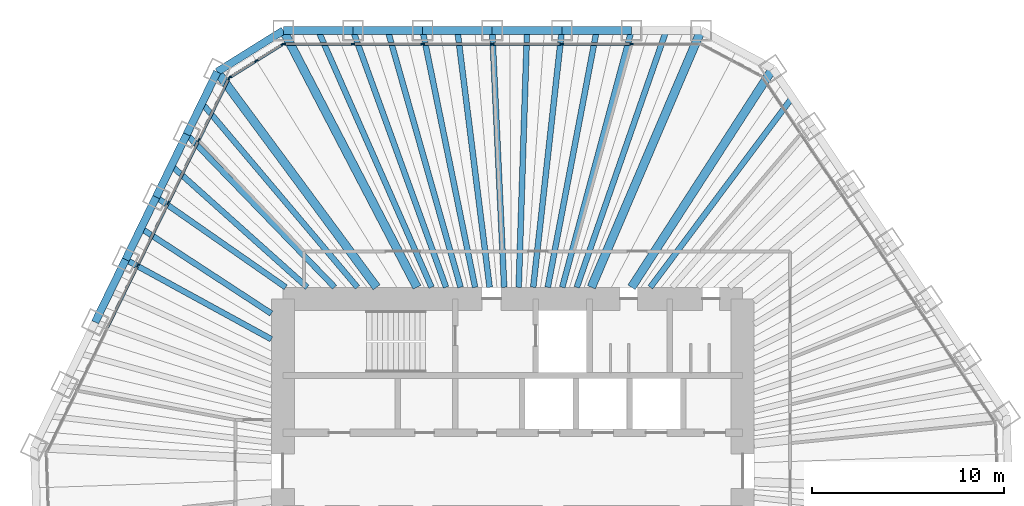
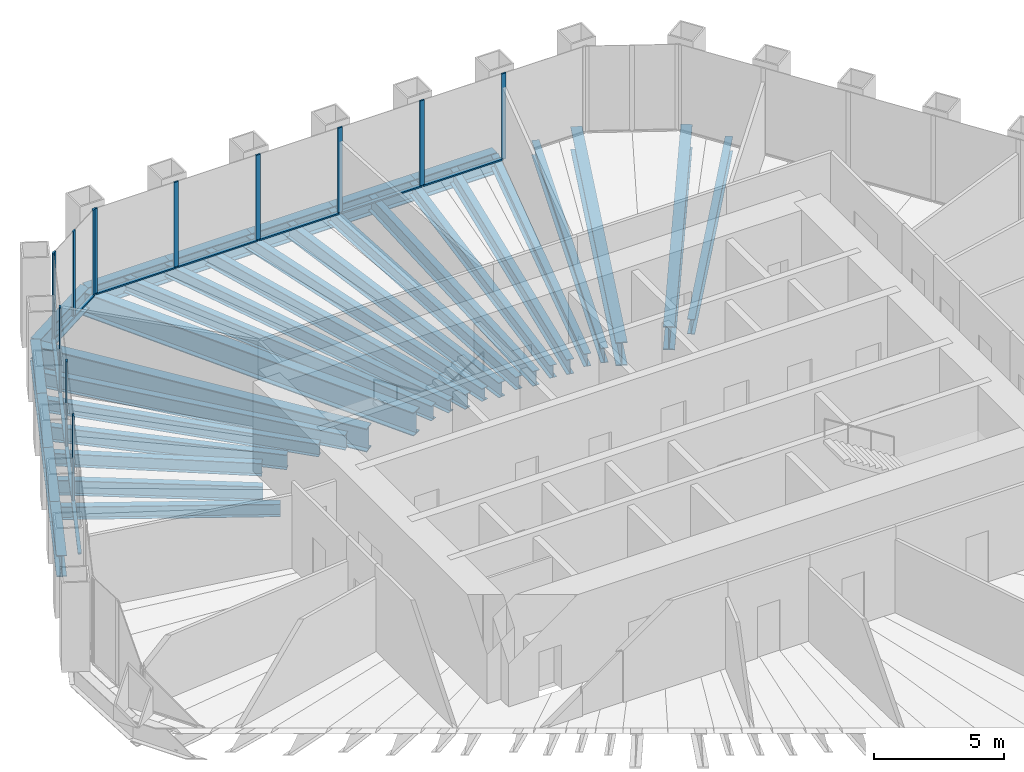
# One storey, part 6 of 13: 32 beams, 24 members, 3 elements without a shape of their own.
"""IFC4 building model written with IfcOpenShell, lengths in metres."""

from ifc_helpers import new_model, si_unit, direction, frame, origin, origin_2d, place, context, subcontext, project, spatial, rectangle, i_section, extrude, material, material_profile, profile_set, type_object, element, aggregate, save


model = new_model("IFC4")

# Units and contexts
model_context = context("Model", 3, precision=1e-05, world=origin(), true_north=direction((0.0, 1.0)))
body_context = subcontext(model_context, "Body", "Model", "MODEL_VIEW")
ifc_project = project(units=[si_unit("LENGTHUNIT", "METRE"), si_unit("AREAUNIT", "SQUARE_METRE"), si_unit("VOLUMEUNIT", "CUBIC_METRE"), si_unit("PLANEANGLEUNIT", "RADIAN"), si_unit("MASSUNIT", "GRAM", prefix="KILO")], contexts=[model_context])

# Site, building, storey
site_placement = place(None, origin())
site = spatial("IfcSite", under=ifc_project, at=site_placement, CompositionType="ELEMENT")
building_placement = place(site_placement, origin())
building = spatial("IfcBuilding", under=site, at=building_placement, Name="Qingtian Harvest Tower", CompositionType="ELEMENT")
storey_placement = place(building_placement, frame((0.0, 0.0, 214.0)))
storey = spatial("IfcBuildingStorey", under=building, at=storey_placement, Name="L46", CompositionType="ELEMENT", Elevation=214.0)

# Beams
ifc_material_1 = material(Name="Steel SM570MC", Category="steel")
ifc_material_profile_1 = material_profile(ifc_material_1, i_section(OverallWidth=0.449951171875, OverallDepth=1.10009765625, WebThickness=0.02197265625, FlangeThickness=0.044921875, at=origin_2d()), Name="H1100x450x22x45")
ifc_profile_set_1 = profile_set([ifc_material_profile_1], Name="Steel SM570MC")
beam_type_1 = type_object("IfcBeamType", Name="Corner floor beam FB8 H1100x450x22x45", PredefinedType="BEAM", material=ifc_profile_set_1)
beam_1_placement = place(storey_placement, frame((-11.971923828125, 23.0, -0.719970703125), z_axis=(0.461712460868, -0.887029651973, 0.0), x_axis=(0.887029651973, 0.461712460868, 0.0)))
element("IfcBeam", 1, at=beam_1_placement, inside=storey, type_object=beam_type_1, Name="Floor beam FB8 N0", PredefinedType="BEAM", context=body_context, shape_type="SweptSolid", body=[
    extrude(i_section(OverallWidth=0.449951171875, OverallDepth=1.10009765625, WebThickness=0.02197265625, FlangeThickness=0.044921875, at=origin_2d()), origin(), (0.0, 0.0, 1.0), 15.1064453125),
])
beam_2_placement = place(storey_placement, frame((9.829345703125, 23.0, -0.719970703125), z_axis=(-0.392976835482, -0.91954837109, 0.0), x_axis=(0.91954837109, -0.392976835482, 0.0)))
element("IfcBeam", 2, at=beam_2_placement, inside=storey, type_object=beam_type_1, Name="Floor beam FB8 N6", PredefinedType="BEAM", context=body_context, shape_type="SweptSolid", body=[
    extrude(i_section(OverallWidth=0.449951171875, OverallDepth=1.10009765625, WebThickness=0.02197265625, FlangeThickness=0.044921875, at=origin_2d()), origin(), (0.0, 0.0, 1.0), 14.572265625),
])
beam_3_placement = place(storey_placement, frame((13.5712890625, 21.01025390625, -0.719970703125), z_axis=(-0.542593072822, -0.839995688873, 0.0), x_axis=(0.839995688873, -0.542593072822, 0.0)))
element("IfcBeam", 3, at=beam_3_placement, inside=storey, type_object=beam_type_1, Name="Floor beam FB8 NE0", PredefinedType="BEAM", context=body_context, shape_type="SweptSolid", body=[
    extrude(i_section(OverallWidth=0.449951171875, OverallDepth=1.10009765625, WebThickness=0.02197265625, FlangeThickness=0.044921875, at=origin_2d()), origin(), (0.0, 0.0, 1.0), 13.58349609375),
])
beam_4_placement = place(storey_placement, frame((-15.424072265625, 20.8427734375, -0.719970703125), z_axis=(0.594854284538, -0.803833552526, 0.0), x_axis=(0.803833552526, 0.594854284538, 0.0)))
element("IfcBeam", 4, at=beam_4_placement, inside=storey, type_object=beam_type_1, Name="Floor beam FB8 NW6", PredefinedType="BEAM", context=body_context, shape_type="SweptSolid", body=[
    extrude(i_section(OverallWidth=0.449951171875, OverallDepth=1.10009765625, WebThickness=0.02197265625, FlangeThickness=0.044921875, at=origin_2d()), origin(), (0.0, 0.0, 1.0), 13.986328125),
])
ifc_material_2 = material(Name="Steel SN490B", Category="steel")
ifc_material_profile_2 = material_profile(ifc_material_2, i_section(OverallWidth=0.300048828125, OverallDepth=0.60009765625, WebThickness=0.011962890625, FlangeThickness=0.02001953125, at=origin_2d()), Name="H600x300x12x20")
ifc_profile_set_2 = profile_set([ifc_material_profile_2], Name="Steel SN490B")
beam_type_2 = type_object("IfcBeamType", Name="Floor beam FB3 H600x300x12x20", PredefinedType="BEAM", material=ifc_profile_set_2)
beam_5_placement = place(storey_placement, frame((-8.33837890625, 23.0, -0.469970703125), z_axis=(0.340826952705, -0.94012604916, 0.0), x_axis=(0.94012604916, 0.340826952705, 0.0)))
element("IfcBeam", 5, at=beam_5_placement, inside=storey, type_object=beam_type_2, Name="Floor beam FB3 N1", PredefinedType="BEAM", context=body_context, shape_type="SweptSolid", body=[
    extrude(i_section(OverallWidth=0.300048828125, OverallDepth=0.60009765625, WebThickness=0.011962890625, FlangeThickness=0.02001953125, at=origin_2d()), origin(), (0.0, 0.0, 1.0), 14.25341796875),
])
beam_6_placement = place(storey_placement, frame((-4.704833984375, 23.0, -0.469970703125), z_axis=(0.200401687601, -0.979713817197, 0.0), x_axis=(0.979713817197, 0.200401687601, 0.0)))
element("IfcBeam", 6, at=beam_6_placement, inside=storey, type_object=beam_type_2, Name="Floor beam FB3 N2", PredefinedType="BEAM", context=body_context, shape_type="SweptSolid", body=[
    extrude(i_section(OverallWidth=0.300048828125, OverallDepth=0.60009765625, WebThickness=0.011962890625, FlangeThickness=0.02001953125, at=origin_2d()), origin(), (0.0, 0.0, 1.0), 13.67724609375),
])
beam_7_placement = place(storey_placement, frame((-1.0712890625, 23.0, -0.469970703125), z_axis=(0.04651883736, -0.998917412888, 0.0), x_axis=(0.998917412888, 0.04651883736, 0.0)))
element("IfcBeam", 7, at=beam_7_placement, inside=storey, type_object=beam_type_2, Name="Floor beam FB3 N3", PredefinedType="BEAM", context=body_context, shape_type="SweptSolid", body=[
    extrude(i_section(OverallWidth=0.300048828125, OverallDepth=0.60009765625, WebThickness=0.011962890625, FlangeThickness=0.02001953125, at=origin_2d()), origin(), (0.0, 0.0, 1.0), 13.414306640625),
])
beam_8_placement = place(storey_placement, frame((2.562255859375, 23.0, -0.469970703125), z_axis=(-0.110727645803, -0.993850787822, 0.0), x_axis=(0.993850787822, -0.110727645803, 0.0)))
element("IfcBeam", 8, at=beam_8_placement, inside=storey, type_object=beam_type_2, Name="Floor beam FB3 N4", PredefinedType="BEAM", context=body_context, shape_type="SweptSolid", body=[
    extrude(i_section(OverallWidth=0.300048828125, OverallDepth=0.60009765625, WebThickness=0.011962890625, FlangeThickness=0.02001953125, at=origin_2d()), origin(), (0.0, 0.0, 1.0), 13.48291015625),
])
beam_9_placement = place(storey_placement, frame((6.19580078125, 23.0, -0.469970703125), z_axis=(-0.260121100906, -0.965576000563, 0.0), x_axis=(0.965576000563, -0.260121100906, 0.0)))
element("IfcBeam", 9, at=beam_9_placement, inside=storey, type_object=beam_type_2, Name="Floor beam FB3 N5", PredefinedType="BEAM", context=body_context, shape_type="SweptSolid", body=[
    extrude(i_section(OverallWidth=0.300048828125, OverallDepth=0.60009765625, WebThickness=0.011962890625, FlangeThickness=0.02001953125, at=origin_2d()), origin(), (0.0, 0.0, 1.0), 13.877685546875),
])
beam_10_placement = place(storey_placement, frame((-20.20263671875, 11.04541015625, -0.469970703125), z_axis=(0.87742673539, -0.479710666988, 0.0), x_axis=(0.479710666988, 0.87742673539, 0.0)))
element("IfcBeam", 10, at=beam_10_placement, inside=storey, type_object=beam_type_2, Name="Floor beam FB3 NW3", PredefinedType="BEAM", context=body_context, shape_type="SweptSolid", body=[
    extrude(i_section(OverallWidth=0.300048828125, OverallDepth=0.60009765625, WebThickness=0.011962890625, FlangeThickness=0.02001953125, at=origin_2d()), origin(), (0.0, 0.0, 1.0), 8.66455078125),
])
beam_11_placement = place(storey_placement, frame((-18.60986328125, 14.311279296875, -0.469970703125), z_axis=(0.820407854234, -0.571778762032, 0.0), x_axis=(0.571778762032, 0.820407854234, 0.0)))
element("IfcBeam", 11, at=beam_11_placement, inside=storey, type_object=beam_type_2, Name="Floor beam FB3 NW4", PredefinedType="BEAM", context=body_context, shape_type="SweptSolid", body=[
    extrude(i_section(OverallWidth=0.300048828125, OverallDepth=0.60009765625, WebThickness=0.011962890625, FlangeThickness=0.02001953125, at=origin_2d()), origin(), (0.0, 0.0, 1.0), 8.239501953125),
])
beam_12_placement = place(storey_placement, frame((-17.016845703125, 17.5771484375, -0.469970703125), z_axis=(0.695569024353, -0.718459276759, 0.0), x_axis=(0.718459276759, 0.695569024353, 0.0)))
element("IfcBeam", 12, at=beam_12_placement, inside=storey, type_object=beam_type_2, Name="Floor beam FB3 NW5", PredefinedType="BEAM", context=body_context, shape_type="SweptSolid", body=[
    extrude(i_section(OverallWidth=0.300048828125, OverallDepth=0.60009765625, WebThickness=0.011962890625, FlangeThickness=0.02001953125, at=origin_2d()), origin(), (0.0, 0.0, 1.0), 11.10302734375),
])
ifc_material_3 = material(Name="Steel SN490B", Category="steel")
ifc_material_profile_3 = material_profile(ifc_material_3, i_section(OverallWidth=0.300048828125, OverallDepth=0.699951171875, WebThickness=0.012939453125, FlangeThickness=0.02392578125, at=origin_2d()), Name="H700x300x13x24")
ifc_profile_set_3 = profile_set([ifc_material_profile_3], Name="Steel SN490B")
beam_type_3 = type_object("IfcBeamType", Name="Floor joist J2 H700x300x13x24", PredefinedType="JOIST", material=ifc_profile_set_3)
beam_13_placement = place(storey_placement, frame((-10.1552734375, 23.0, -0.52001953125), z_axis=(0.40391347792, -0.914797191925, 0.0), x_axis=(0.914797191925, 0.40391347792, 0.0)))
element("IfcBeam", 13, at=beam_13_placement, inside=storey, type_object=beam_type_3, Name="Floor joist J2 N0", PredefinedType="JOIST", context=body_context, shape_type="SweptSolid", body=[
    extrude(i_section(OverallWidth=0.300048828125, OverallDepth=0.699951171875, WebThickness=0.012939453125, FlangeThickness=0.02392578125, at=origin_2d()), origin(), (0.0, 0.0, 1.0), 14.64794921875),
])
beam_14_placement = place(storey_placement, frame((-6.521728515625, 23.0, -0.52001953125), z_axis=(0.272796737564, -0.962071691702, 0.0), x_axis=(0.962071691702, 0.272796737564, 0.0)))
element("IfcBeam", 14, at=beam_14_placement, inside=storey, type_object=beam_type_3, Name="Floor joist J2 N1", PredefinedType="JOIST", context=body_context, shape_type="SweptSolid", body=[
    extrude(i_section(OverallWidth=0.300048828125, OverallDepth=0.699951171875, WebThickness=0.012939453125, FlangeThickness=0.02392578125, at=origin_2d()), origin(), (0.0, 0.0, 1.0), 13.92822265625),
])
beam_15_placement = place(storey_placement, frame((-2.88818359375, 23.0, -0.52001953125), z_axis=(0.124590949529, -0.992208191508, 0.0), x_axis=(0.992208191508, 0.124590949529, 0.0)))
element("IfcBeam", 15, at=beam_15_placement, inside=storey, type_object=beam_type_3, Name="Floor joist J2 N2", PredefinedType="JOIST", context=body_context, shape_type="SweptSolid", body=[
    extrude(i_section(OverallWidth=0.300048828125, OverallDepth=0.699951171875, WebThickness=0.012939453125, FlangeThickness=0.02392578125, at=origin_2d()), origin(), (0.0, 0.0, 1.0), 13.505126953125),
])
beam_16_placement = place(storey_placement, frame((0.745361328125, 23.0, -0.52001953125), z_axis=(-0.032395624487, -0.99947512401, 0.0), x_axis=(0.99947512401, -0.032395624487, 0.0)))
element("IfcBeam", 16, at=beam_16_placement, inside=storey, type_object=beam_type_3, Name="Floor joist J2 N3", PredefinedType="JOIST", context=body_context, shape_type="SweptSolid", body=[
    extrude(i_section(OverallWidth=0.300048828125, OverallDepth=0.699951171875, WebThickness=0.012939453125, FlangeThickness=0.02392578125, at=origin_2d()), origin(), (0.0, 0.0, 1.0), 13.406982421875),
])
beam_17_placement = place(storey_placement, frame((4.37890625, 23.0, -0.52001953125), z_axis=(-0.187034797062, -0.982353289142, 0.0), x_axis=(0.982353289142, -0.187034797062, 0.0)))
element("IfcBeam", 17, at=beam_17_placement, inside=storey, type_object=beam_type_3, Name="Floor joist J2 N4", PredefinedType="JOIST", context=body_context, shape_type="SweptSolid", body=[
    extrude(i_section(OverallWidth=0.300048828125, OverallDepth=0.699951171875, WebThickness=0.012939453125, FlangeThickness=0.02392578125, at=origin_2d()), origin(), (0.0, 0.0, 1.0), 13.640625),
])
beam_18_placement = place(storey_placement, frame((8.012451171875, 23.0, -0.52001953125), z_axis=(-0.328969033283, -0.944340709247, 0.0), x_axis=(0.944340709247, -0.328969033283, 0.0)))
element("IfcBeam", 18, at=beam_18_placement, inside=storey, type_object=beam_type_3, Name="Floor joist J2 N5", PredefinedType="JOIST", context=body_context, shape_type="SweptSolid", body=[
    extrude(i_section(OverallWidth=0.300048828125, OverallDepth=0.699951171875, WebThickness=0.012939453125, FlangeThickness=0.02392578125, at=origin_2d()), origin(), (0.0, 0.0, 1.0), 14.189697265625),
])
beam_19_placement = place(storey_placement, frame((14.58740234375, 19.504150390625, -0.52001953125), z_axis=(-0.598935081494, -0.800797582511, 0.0), x_axis=(0.800797582511, -0.598935081494, 0.0)))
element("IfcBeam", 19, at=beam_19_placement, inside=storey, type_object=beam_type_3, Name="Floor joist J2 NE0", PredefinedType="JOIST", context=body_context, shape_type="SweptSolid", body=[
    extrude(i_section(OverallWidth=0.300048828125, OverallDepth=0.699951171875, WebThickness=0.012939453125, FlangeThickness=0.02392578125, at=origin_2d()), origin(), (0.0, 0.0, 1.0), 12.36767578125),
])
beam_20_placement = place(storey_placement, frame((-19.40625, 12.678466796875, -0.52001953125), z_axis=(0.837161066611, -0.546956441182, 0.0), x_axis=(0.546956441182, 0.837161066611, 0.0)))
element("IfcBeam", 20, at=beam_20_placement, inside=storey, type_object=beam_type_3, Name="Floor joist J2 NW3", PredefinedType="JOIST", context=body_context, shape_type="SweptSolid", body=[
    extrude(i_section(OverallWidth=0.300048828125, OverallDepth=0.699951171875, WebThickness=0.012939453125, FlangeThickness=0.02392578125, at=origin_2d()), origin(), (0.0, 0.0, 1.0), 8.130126953125),
])
beam_21_placement = place(storey_placement, frame((-17.813232421875, 15.944091796875, -0.52001953125), z_axis=(0.745126517589, -0.66692313859, 0.0), x_axis=(0.66692313859, 0.745126517589, 0.0)))
element("IfcBeam", 21, at=beam_21_placement, inside=storey, type_object=beam_type_3, Name="Floor joist J2 NW4", PredefinedType="JOIST", context=body_context, shape_type="SweptSolid", body=[
    extrude(i_section(OverallWidth=0.300048828125, OverallDepth=0.699951171875, WebThickness=0.012939453125, FlangeThickness=0.02392578125, at=origin_2d()), origin(), (0.0, 0.0, 1.0), 9.512451171875),
])
beam_22_placement = place(storey_placement, frame((-16.220458984375, 19.2099609375, -0.52001953125), z_axis=(0.645157903911, -0.764049264787, 0.0), x_axis=(0.764049264787, 0.645157903911, 0.0)))
element("IfcBeam", 22, at=beam_22_placement, inside=storey, type_object=beam_type_3, Name="Floor joist J2 NW5", PredefinedType="JOIST", context=body_context, shape_type="SweptSolid", body=[
    extrude(i_section(OverallWidth=0.300048828125, OverallDepth=0.699951171875, WebThickness=0.012939453125, FlangeThickness=0.02392578125, at=origin_2d()), origin(), (0.0, 0.0, 1.0), 12.57763671875),
])

# Curtain wall, members
ifc_material_4 = material(Name="Bronze-anodised aluminium curtain wall", Category="aluminium")
curtain_wall_type = type_object("IfcCurtainWallType", Name="Curtain wall CW4 office", PredefinedType="USERDEFINED", material=ifc_material_4)
curtain_wall_1_placement = place(storey_placement, origin())
curtain_wall_1 = element("IfcCurtainWall", 23, at=curtain_wall_1_placement, inside=storey, type_object=curtain_wall_type, Name="Curtain wall CW4 L46 N0-5", ObjectType="RECESSED CURTAIN WALL", PredefinedType="USERDEFINED")
ifc_material_5 = material(Name="Bronze-anodised aluminium mullion", Category="aluminium")
ifc_material_profile_4 = material_profile(ifc_material_5, rectangle(XDim=0.06494140625, YDim=0.199951171875, at=origin_2d()), Name="AL 65x200")
ifc_profile_set_4 = profile_set([ifc_material_profile_4], Name="Bronze-anodised aluminium mullion")
member_type_1 = type_object("IfcMemberType", Name="Mullion CWM 65x200", PredefinedType="MULLION", material=ifc_profile_set_4)
member_1_placement = place(storey_placement, frame((-11.939453125, 22.300048828125, 0.0), z_axis=(0.0, 0.0, 1.0), x_axis=(0.0, 1.0, 0.0)))
member_1 = element("IfcMember", 24, at=member_1_placement, type_object=member_type_1, Name="CW4 mullion 1", PredefinedType="MULLION", context=body_context, shape_type="SweptSolid", body=[
    extrude(rectangle(XDim=0.06494140625, YDim=0.199951171875, at=origin_2d()), origin(), (0.0, 0.0, 1.0), 4.030029296875),
])
member_2_placement = place(storey_placement, frame((-8.33837890625, 22.300048828125, 0.0), z_axis=(0.0, 0.0, 1.0), x_axis=(0.0, 1.0, 0.0)))
member_2 = element("IfcMember", 25, at=member_2_placement, type_object=member_type_1, Name="CW4 mullion 2", PredefinedType="MULLION", context=body_context, shape_type="SweptSolid", body=[
    extrude(rectangle(XDim=0.06494140625, YDim=0.199951171875, at=origin_2d()), origin(), (0.0, 0.0, 1.0), 4.030029296875),
])
member_3_placement = place(storey_placement, frame((-4.704833984375, 22.300048828125, 0.0), z_axis=(0.0, 0.0, 1.0), x_axis=(0.0, 1.0, 0.0)))
member_3 = element("IfcMember", 26, at=member_3_placement, type_object=member_type_1, Name="CW4 mullion 3", PredefinedType="MULLION", context=body_context, shape_type="SweptSolid", body=[
    extrude(rectangle(XDim=0.06494140625, YDim=0.199951171875, at=origin_2d()), origin(), (0.0, 0.0, 1.0), 4.030029296875),
])
member_4_placement = place(storey_placement, frame((-1.0712890625, 22.300048828125, 0.0), z_axis=(0.0, 0.0, 1.0), x_axis=(0.0, 1.0, 0.0)))
member_4 = element("IfcMember", 27, at=member_4_placement, type_object=member_type_1, Name="CW4 mullion 4", PredefinedType="MULLION", context=body_context, shape_type="SweptSolid", body=[
    extrude(rectangle(XDim=0.06494140625, YDim=0.199951171875, at=origin_2d()), origin(), (0.0, 0.0, 1.0), 4.030029296875),
])
member_5_placement = place(storey_placement, frame((2.562255859375, 22.300048828125, 0.0), z_axis=(0.0, 0.0, 1.0), x_axis=(0.0, 1.0, 0.0)))
member_5 = element("IfcMember", 28, at=member_5_placement, type_object=member_type_1, Name="CW4 mullion 5", PredefinedType="MULLION", context=body_context, shape_type="SweptSolid", body=[
    extrude(rectangle(XDim=0.06494140625, YDim=0.199951171875, at=origin_2d()), origin(), (0.0, 0.0, 1.0), 4.030029296875),
])
member_6_placement = place(storey_placement, frame((6.19580078125, 22.300048828125, 0.0), z_axis=(0.0, 0.0, 1.0), x_axis=(0.0, 1.0, 0.0)))
member_6 = element("IfcMember", 29, at=member_6_placement, type_object=member_type_1, Name="CW4 mullion 6", PredefinedType="MULLION", context=body_context, shape_type="SweptSolid", body=[
    extrude(rectangle(XDim=0.06494140625, YDim=0.199951171875, at=origin_2d()), origin(), (0.0, 0.0, 1.0), 4.030029296875),
])

curtain_wall_2_placement = place(storey_placement, origin())
curtain_wall_2 = element("IfcCurtainWall", 30, at=curtain_wall_2_placement, inside=storey, type_object=curtain_wall_type, Name="Curtain wall CW4 L46 NW0-5", ObjectType="RECESSED CURTAIN WALL", PredefinedType="USERDEFINED")
member_7_placement = place(storey_placement, frame((-19.573486328125, 10.738525390625, 0.0), z_axis=(0.0, 0.0, 1.0), x_axis=(-0.898794046299, 0.438371146789, 0.0)))
member_7 = element("IfcMember", 31, at=member_7_placement, type_object=member_type_1, Name="CW4 mullion 4", PredefinedType="MULLION", context=body_context, shape_type="SweptSolid", body=[
    extrude(rectangle(XDim=0.06494140625, YDim=0.199951171875, at=origin_2d()), origin(), (0.0, 0.0, 1.0), 4.030029296875),
])
member_8_placement = place(storey_placement, frame((-17.980712890625, 14.00439453125, 0.0), z_axis=(0.0, 0.0, 1.0), x_axis=(-0.898794046299, 0.438371146789, 0.0)))
member_8 = element("IfcMember", 32, at=member_8_placement, type_object=member_type_1, Name="CW4 mullion 5", PredefinedType="MULLION", context=body_context, shape_type="SweptSolid", body=[
    extrude(rectangle(XDim=0.06494140625, YDim=0.199951171875, at=origin_2d()), origin(), (0.0, 0.0, 1.0), 4.030029296875),
])
member_9_placement = place(storey_placement, frame((-16.3876953125, 17.270263671875, 0.0), z_axis=(0.0, 0.0, 1.0), x_axis=(-0.898794046299, 0.438371146789, 0.0)))
member_9 = element("IfcMember", 33, at=member_9_placement, type_object=member_type_1, Name="CW4 mullion 6", PredefinedType="MULLION", context=body_context, shape_type="SweptSolid", body=[
    extrude(rectangle(XDim=0.06494140625, YDim=0.199951171875, at=origin_2d()), origin(), (0.0, 0.0, 1.0), 4.030029296875),
])
member_10_placement = place(storey_placement, frame((-14.80908203125, 20.5068359375, 0.0), z_axis=(0.0, 0.0, 1.0), x_axis=(-0.898794046299, 0.438371146789, 0.0)))
member_10 = element("IfcMember", 34, at=member_10_placement, type_object=member_type_1, Name="CW4 mullion 7", PredefinedType="MULLION", context=body_context, shape_type="SweptSolid", body=[
    extrude(rectangle(XDim=0.06494140625, YDim=0.199951171875, at=origin_2d()), origin(), (0.0, 0.0, 1.0), 4.030029296875),
])

curtain_wall_3_placement = place(storey_placement, origin())
curtain_wall_3 = element("IfcCurtainWall", 35, at=curtain_wall_3_placement, inside=storey, type_object=curtain_wall_type, Name="Curtain wall CW4 L46 NWC", ObjectType="RECESSED CURTAIN WALL", PredefinedType="USERDEFINED")
member_11_placement = place(storey_placement, frame((-14.767333984375, 20.55322265625, 0.0), z_axis=(0.0, 0.0, 1.0), x_axis=(-0.529919264233, 0.848048096156, 0.0)))
member_11 = element("IfcMember", 36, at=member_11_placement, type_object=member_type_1, Name="CW4 mullion 1", PredefinedType="MULLION", context=body_context, shape_type="SweptSolid", body=[
    extrude(rectangle(XDim=0.06494140625, YDim=0.199951171875, at=origin_2d()), origin(), (0.0, 0.0, 1.0), 4.030029296875),
])
member_12_placement = place(storey_placement, frame((-13.383544921875, 21.41796875, 0.0), z_axis=(0.0, 0.0, 1.0), x_axis=(-0.529919264233, 0.848048096156, 0.0)))
member_12 = element("IfcMember", 37, at=member_12_placement, type_object=member_type_1, Name="CW4 mullion 2", PredefinedType="MULLION", context=body_context, shape_type="SweptSolid", body=[
    extrude(rectangle(XDim=0.06494140625, YDim=0.199951171875, at=origin_2d()), origin(), (0.0, 0.0, 1.0), 4.030029296875),
])
member_13_placement = place(storey_placement, frame((-11.99951171875, 22.28271484375, 0.0), z_axis=(0.0, 0.0, 1.0), x_axis=(-0.529919264233, 0.848048096156, 0.0)))
member_13 = element("IfcMember", 38, at=member_13_placement, type_object=member_type_1, Name="CW4 mullion 3", PredefinedType="MULLION", context=body_context, shape_type="SweptSolid", body=[
    extrude(rectangle(XDim=0.06494140625, YDim=0.199951171875, at=origin_2d()), origin(), (0.0, 0.0, 1.0), 4.030029296875),
])

# Beams
ifc_material_6 = material(Name="Steel SN490B", Category="steel")
ifc_material_profile_5 = material_profile(ifc_material_6, i_section(OverallWidth=0.39990234375, OverallDepth=1.0, WebThickness=0.01904296875, FlangeThickness=0.035888671875, at=origin_2d()), Name="H1000x400x19x36")
ifc_profile_set_5 = profile_set([ifc_material_profile_5], Name="Steel SN490B")
beam_type_4 = type_object("IfcBeamType", Name="Spandrel beam SB3 H1000x400x19x36", PredefinedType="SPANDREL", material=ifc_profile_set_5)
for number, where, z_axis, x_axis, name in (
    (39, (-11.971923828125, 23.0, -0.5), (1.0, 0.0, 0.0), (0.0, 1.0, 0.0), "Spandrel SB3 N0"),
    (40, (-8.33837890625, 23.0, -0.5), (1.0, 0.0, 0.0), (0.0, 1.0, 0.0), "Spandrel SB3 N1"),
    (41, (-4.704833984375, 23.0, -0.5), (1.0, 0.0, 0.0), (0.0, 1.0, 0.0), "Spandrel SB3 N2"),
    (42, (-1.0712890625, 23.0, -0.5), (1.0, 0.0, 0.0), (0.0, 1.0, 0.0), "Spandrel SB3 N3"),
    (43, (2.562255859375, 23.0, -0.5), (1.0, 0.0, 0.0), (0.0, 1.0, 0.0), "Spandrel SB3 N4"),
    (44, (-21.79541015625, 7.779541015625, -0.5), (0.438349498419, 0.898804604592, 0.0), (-0.898804604592, 0.438349498419, 0.0), "Spandrel SB3 NW2"),
    (45, (-20.20263671875, 11.04541015625, -0.5), (0.438349498419, 0.898804604592, 0.0), (-0.898804604592, 0.438349498419, 0.0), "Spandrel SB3 NW3"),
):
    element("IfcBeam", number, at=place(storey_placement, frame(where, z_axis=z_axis, x_axis=x_axis)), inside=storey, type_object=beam_type_4, Name=name, PredefinedType="SPANDREL", context=body_context, shape_type="SweptSolid", body=[
        extrude(i_section(OverallWidth=0.39990234375, OverallDepth=1.0, WebThickness=0.01904296875, FlangeThickness=0.035888671875, at=origin_2d()), origin(), (0.0, 0.0, 1.0), 3.633544921875),
    ])
beam_23_placement = place(storey_placement, frame((-18.60986328125, 14.311279296875, -0.5), z_axis=(0.438403775684, 0.898778131391, 0.0), x_axis=(-0.898778131391, 0.438403775684, 0.0)))
element("IfcBeam", 46, at=beam_23_placement, inside=storey, type_object=beam_type_4, Name="Spandrel SB3 NW4", PredefinedType="SPANDREL", context=body_context, shape_type="SweptSolid", body=[
    extrude(i_section(OverallWidth=0.39990234375, OverallDepth=1.0, WebThickness=0.01904296875, FlangeThickness=0.035888671875, at=origin_2d()), origin(), (0.0, 0.0, 1.0), 3.6337890625),
])
beam_24_placement = place(storey_placement, frame((-17.016845703125, 17.5771484375, -0.5), z_axis=(0.43837597217, 0.898791692788, 0.0), x_axis=(-0.898791692788, 0.43837597217, 0.0)))
element("IfcBeam", 47, at=beam_24_placement, inside=storey, type_object=beam_type_4, Name="Spandrel SB3 NW5", PredefinedType="SPANDREL", context=body_context, shape_type="SweptSolid", body=[
    extrude(i_section(OverallWidth=0.39990234375, OverallDepth=1.0, WebThickness=0.01904296875, FlangeThickness=0.035888671875, at=origin_2d()), origin(), (0.0, 0.0, 1.0), 3.63330078125),
])
beam_25_placement = place(storey_placement, frame((-15.424072265625, 20.8427734375, -0.5), z_axis=(0.848038733752, 0.529934246919, 0.0), x_axis=(-0.529934246919, 0.848038733752, 0.0)))
element("IfcBeam", 48, at=beam_25_placement, inside=storey, type_object=beam_type_4, Name="Spandrel SB3 NWC", PredefinedType="SPANDREL", context=body_context, shape_type="SweptSolid", body=[
    extrude(i_section(OverallWidth=0.39990234375, OverallDepth=1.0, WebThickness=0.01904296875, FlangeThickness=0.035888671875, at=origin_2d()), origin(), (0.0, 0.0, 1.0), 4.07080078125),
])

# Member
ifc_material_7 = material(Name="Bronze-anodised aluminium transom", Category="aluminium")
ifc_material_profile_6 = material_profile(ifc_material_7, rectangle(XDim=0.14990234375, YDim=0.06494140625, at=origin_2d()), Name="AL 65x150")
ifc_profile_set_6 = profile_set([ifc_material_profile_6], Name="Bronze-anodised aluminium transom")
member_type_2 = type_object("IfcMemberType", Name="Transom CWT 65x150", PredefinedType="USERDEFINED", material=ifc_profile_set_6)
member_14_placement = place(storey_placement, frame((-11.906982421875, 22.300048828125, 0.032470703125), z_axis=(1.0, 0.0, 0.0), x_axis=(0.0, 1.0, 0.0)))
member_14 = element("IfcMember", 49, at=member_14_placement, type_object=member_type_2, Name="CW4 transom 1.1", ObjectType="TRANSOM", PredefinedType="USERDEFINED", context=body_context, shape_type="SweptSolid", body=[
    extrude(rectangle(XDim=0.14990234375, YDim=0.06494140625, at=origin_2d()), origin(), (0.0, 0.0, 1.0), 3.5361328125),
])

member_15_placement = place(storey_placement, frame((-8.305908203125, 22.300048828125, 0.032470703125), z_axis=(1.0, 0.0, 0.0), x_axis=(0.0, 1.0, 0.0)))
member_15 = element("IfcMember", 50, at=member_15_placement, type_object=member_type_2, Name="CW4 transom 2.1", ObjectType="TRANSOM", PredefinedType="USERDEFINED", context=body_context, shape_type="SweptSolid", body=[
    extrude(rectangle(XDim=0.14990234375, YDim=0.06494140625, at=origin_2d()), origin(), (0.0, 0.0, 1.0), 3.568603515625),
])

member_16_placement = place(storey_placement, frame((-4.67236328125, 22.300048828125, 0.032470703125), z_axis=(1.0, 0.0, 0.0), x_axis=(0.0, 1.0, 0.0)))
member_16 = element("IfcMember", 51, at=member_16_placement, type_object=member_type_2, Name="CW4 transom 3.1", ObjectType="TRANSOM", PredefinedType="USERDEFINED", context=body_context, shape_type="SweptSolid", body=[
    extrude(rectangle(XDim=0.14990234375, YDim=0.06494140625, at=origin_2d()), origin(), (0.0, 0.0, 1.0), 3.568603515625),
])

member_17_placement = place(storey_placement, frame((-1.038818359375, 22.300048828125, 0.032470703125), z_axis=(1.0, 0.0, 0.0), x_axis=(0.0, 1.0, 0.0)))
member_17 = element("IfcMember", 52, at=member_17_placement, type_object=member_type_2, Name="CW4 transom 4.1", ObjectType="TRANSOM", PredefinedType="USERDEFINED", context=body_context, shape_type="SweptSolid", body=[
    extrude(rectangle(XDim=0.14990234375, YDim=0.06494140625, at=origin_2d()), origin(), (0.0, 0.0, 1.0), 3.568603515625),
])

member_18_placement = place(storey_placement, frame((2.5947265625, 22.300048828125, 0.032470703125), z_axis=(1.0, 0.0, 0.0), x_axis=(0.0, 1.0, 0.0)))
member_18 = element("IfcMember", 53, at=member_18_placement, type_object=member_type_2, Name="CW4 transom 5.1", ObjectType="TRANSOM", PredefinedType="USERDEFINED", context=body_context, shape_type="SweptSolid", body=[
    extrude(rectangle(XDim=0.14990234375, YDim=0.06494140625, at=origin_2d()), origin(), (0.0, 0.0, 1.0), 3.568603515625),
])

aggregate(curtain_wall_1, [member_1, member_2, member_3, member_4, member_5, member_6, member_14, member_15, member_16, member_17, member_18])

member_19_placement = place(storey_placement, frame((-21.152099609375, 7.501953125, 0.032470703125), z_axis=(0.438380500422, 0.898789484167, 0.0), x_axis=(-0.898789484167, 0.438380500422, 0.0)))
member_19 = element("IfcMember", 54, at=member_19_placement, type_object=member_type_2, Name="CW4 transom 3.1", ObjectType="TRANSOM", PredefinedType="USERDEFINED", context=body_context, shape_type="SweptSolid", body=[
    extrude(rectangle(XDim=0.14990234375, YDim=0.06494140625, at=origin_2d()), origin(), (0.0, 0.0, 1.0), 3.568603515625),
])

member_20_placement = place(storey_placement, frame((-19.559326171875, 10.767822265625, 0.032470703125), z_axis=(0.438407456795, 0.898776335818, 0.0), x_axis=(-0.898776335818, 0.438407456795, 0.0)))
member_20 = element("IfcMember", 55, at=member_20_placement, type_object=member_type_2, Name="CW4 transom 4.1", ObjectType="TRANSOM", PredefinedType="USERDEFINED", context=body_context, shape_type="SweptSolid", body=[
    extrude(rectangle(XDim=0.14990234375, YDim=0.06494140625, at=origin_2d()), origin(), (0.0, 0.0, 1.0), 3.568603515625),
])

member_21_placement = place(storey_placement, frame((-17.96630859375, 14.03369140625, 0.032470703125), z_axis=(0.438352188226, 0.898803292761, 0.0), x_axis=(-0.898803292761, 0.438352188226, 0.0)))
member_21 = element("IfcMember", 56, at=member_21_placement, type_object=member_type_2, Name="CW4 transom 5.1", ObjectType="TRANSOM", PredefinedType="USERDEFINED", context=body_context, shape_type="SweptSolid", body=[
    extrude(rectangle(XDim=0.14990234375, YDim=0.06494140625, at=origin_2d()), origin(), (0.0, 0.0, 1.0), 3.568359375),
])

member_22_placement = place(storey_placement, frame((-16.37353515625, 17.29931640625, 0.032470703125), z_axis=(0.438354255898, 0.898802284341, 0.0), x_axis=(-0.898802284341, 0.438354255898, 0.0)))
member_22 = element("IfcMember", 57, at=member_22_placement, type_object=member_type_2, Name="CW4 transom 6.1", ObjectType="TRANSOM", PredefinedType="USERDEFINED", context=body_context, shape_type="SweptSolid", body=[
    extrude(rectangle(XDim=0.14990234375, YDim=0.06494140625, at=origin_2d()), origin(), (0.0, 0.0, 1.0), 3.5361328125),
])

aggregate(curtain_wall_2, [member_7, member_8, member_9, member_10, member_19, member_20, member_21, member_22])

member_23_placement = place(storey_placement, frame((-14.73974609375, 20.570556640625, 0.032470703125), z_axis=(0.848015812303, 0.529970925697, 0.0), x_axis=(-0.529970925697, 0.848015812303, 0.0)))
member_23 = element("IfcMember", 58, at=member_23_placement, type_object=member_type_2, Name="CW4 transom 1.1", ObjectType="TRANSOM", PredefinedType="USERDEFINED", context=body_context, shape_type="SweptSolid", body=[
    extrude(rectangle(XDim=0.14990234375, YDim=0.06494140625, at=origin_2d()), origin(), (0.0, 0.0, 1.0), 1.566650390625),
])

member_24_placement = place(storey_placement, frame((-13.35595703125, 21.435302734375, 0.032470703125), z_axis=(0.848059570903, 0.529900900357, 0.0), x_axis=(-0.529900900357, 0.848059570903, 0.0)))
member_24 = element("IfcMember", 59, at=member_24_placement, type_object=member_type_2, Name="CW4 transom 2.1", ObjectType="TRANSOM", PredefinedType="USERDEFINED", context=body_context, shape_type="SweptSolid", body=[
    extrude(rectangle(XDim=0.14990234375, YDim=0.06494140625, at=origin_2d()), origin(), (0.0, 0.0, 1.0), 1.56689453125),
])

aggregate(curtain_wall_3, [member_11, member_12, member_13, member_23, member_24])

save(model, "model.ifc")
